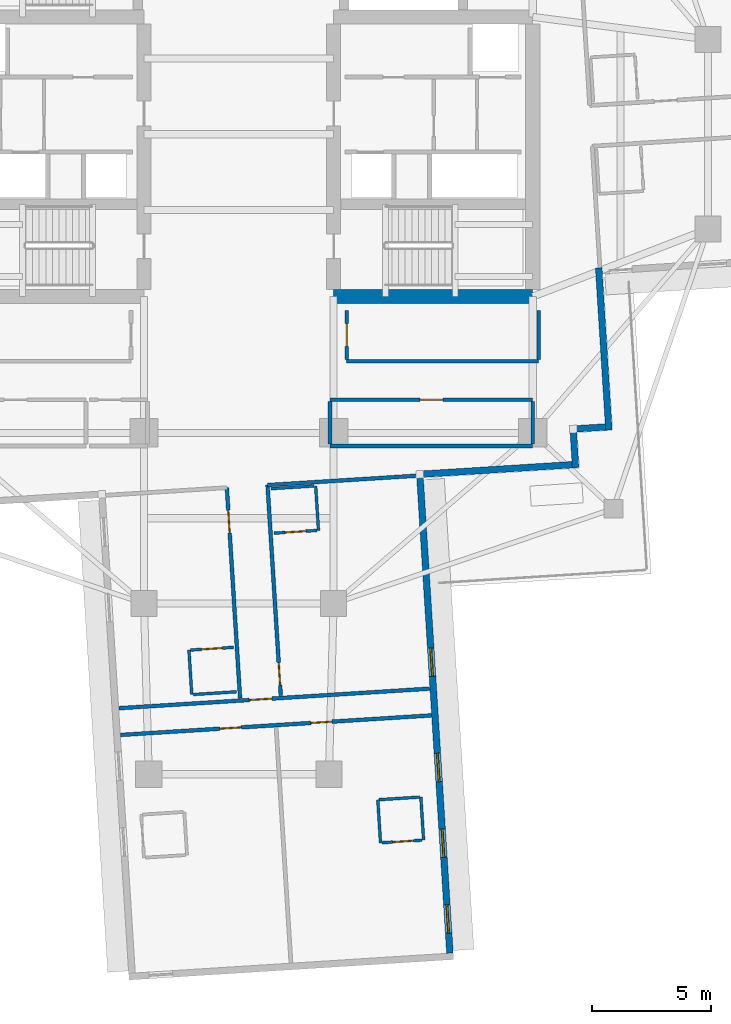
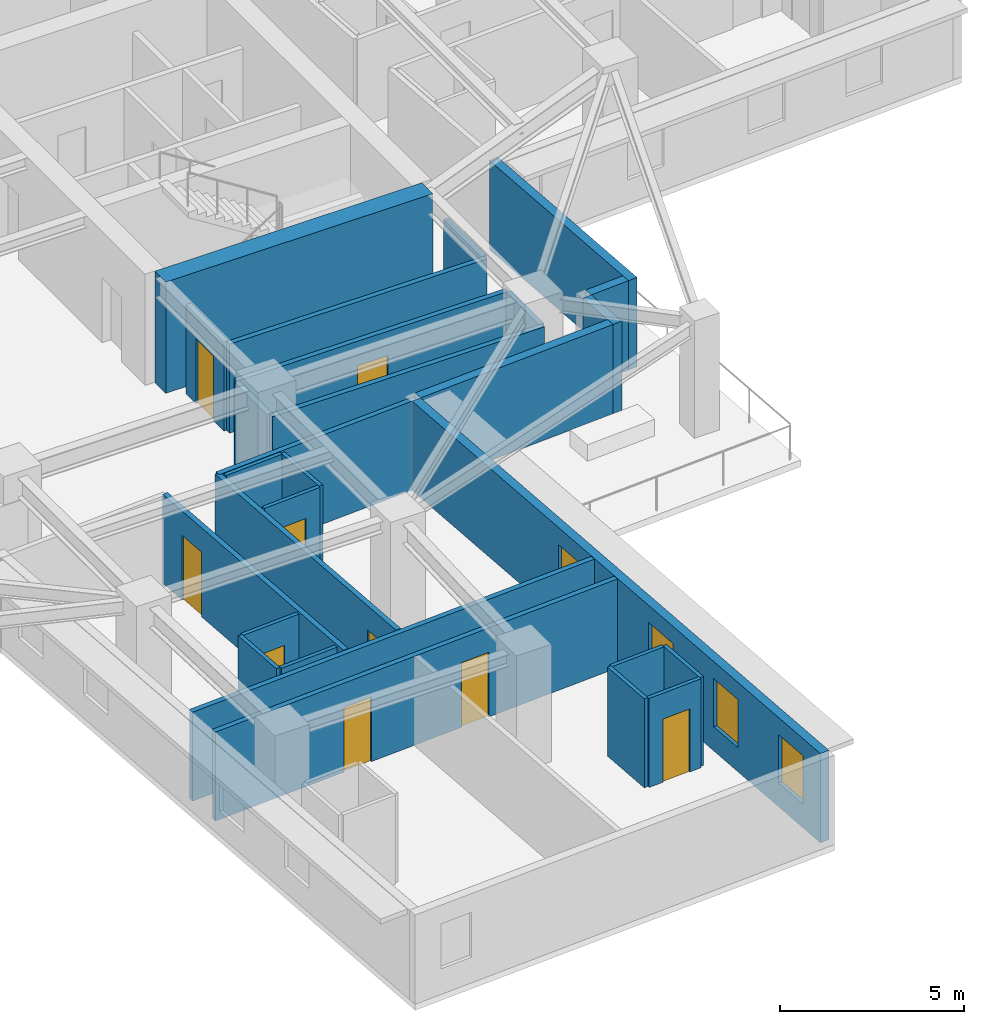
# One storey, part 4 of 14: 28 walls, 10 doors, 4 windows, 14 openings.
"""IFC4 building model written with IfcOpenShell, lengths in metres."""

from ifc_helpers import new_model, si_unit, direction, frame, frame_2d, origin, place, context, subcontext, project, spatial, rectangle, extrude, material, layer, layer_set, type_object, element, fill, save


model = new_model("IFC4")

# Units and contexts
model_context = context("Model", 3, precision=1e-05, world=origin(), true_north=direction((0.0, 1.0)))
body_context = subcontext(model_context, "Body", "Model", "MODEL_VIEW")
ifc_project = project(units=[si_unit("LENGTHUNIT", "METRE"), si_unit("AREAUNIT", "SQUARE_METRE"), si_unit("VOLUMEUNIT", "CUBIC_METRE"), si_unit("PLANEANGLEUNIT", "RADIAN"), si_unit("MASSUNIT", "GRAM", prefix="KILO")], contexts=[model_context])

# Site, building, storey
site_placement = place(None, origin())
site = spatial("IfcSite", under=ifc_project, at=site_placement, CompositionType="ELEMENT")
building_placement = place(site_placement, origin())
building = spatial("IfcBuilding", under=site, at=building_placement, Name="Qingluan Cross Belvedere", CompositionType="ELEMENT")
storey_placement = place(building_placement, frame((0.0, 0.0, 120.300048828125)))
storey = spatial("IfcBuildingStorey", under=building, at=storey_placement, Name="L30", CompositionType="ELEMENT", Elevation=120.300048828125)

# Walls
ifc_material_1 = material(Name="Concrete C60", Category="concrete")
ifc_layer_1 = layer(ifc_material_1, 0.60009765625, Name="CoreShearWall_600")
ifc_layer_set_1 = layer_set([ifc_layer_1], Name="Concrete C60")
wall_type_1 = type_object("IfcWallType", Name="CoreShearWall_600", PredefinedType="SHEAR", material=ifc_layer_set_1)
wall_1_placement = place(storey_placement, frame((4.0, -6.85009765625, 0.0), z_axis=(0.0, 0.0, 1.0), x_axis=(1.0, 0.0, 0.0)))
element("IfcWall", 1, at=wall_1_placement, inside=storey, type_object=wall_type_1, Name="Split core E shear wall L30-S", PredefinedType="SHEAR", context=body_context, shape_type="SweptSolid", body=[
    extrude(rectangle(XDim=8.39990234375, YDim=0.60009765625, at=frame_2d((4.199951171875, 0.0))), origin(), (0.0, 0.0, 1.0), 3.699951171875),
])
ifc_material_2 = material(Name="Gypsum plasterboard on steel stud acoustic partition", Category="steel")
ifc_layer_2 = layer(ifc_material_2, 0.159912109375, Name="CorridorPartition_160")
ifc_layer_set_2 = layer_set([ifc_layer_2], Name="Gypsum plasterboard on steel stud acoustic partition")
wall_type_2 = type_object("IfcWallType", Name="CorridorPartition_160", PredefinedType="PARTITIONING", material=ifc_layer_set_2)
wall_2_placement = place(storey_placement, frame((3.85009765625, -13.14990234375, 0.0), z_axis=(0.0, 0.0, 1.0), x_axis=(1.0, 0.0, 0.0)))
element("IfcWall", 2, at=wall_2_placement, inside=storey, type_object=wall_type_2, Name="Partition L30:q_se:S", PredefinedType="PARTITIONING", context=body_context, shape_type="SweptSolid", body=[
    extrude(rectangle(XDim=8.5498046875, YDim=0.159912109375, at=frame_2d((4.27490234375, 0.0))), origin(), (0.0, 0.0, 1.0), 2.9599609375),
])

# Wall, opening, door
wall_3_placement = place(storey_placement, frame((3.85009765625, -11.199951171875, 0.0), z_axis=(0.0, 0.0, 1.0), x_axis=(1.0, 0.0, 0.0)))
wall_3 = element("IfcWall", 3, at=wall_3_placement, inside=storey, type_object=wall_type_2, Name="Partition L30:q_se:N", PredefinedType="PARTITIONING", context=body_context, shape_type="SweptSolid", body=[
    extrude(rectangle(XDim=8.5498046875, YDim=0.159912109375, at=frame_2d((4.27490234375, 0.0))), origin(), (0.0, 0.0, 1.0), 2.9599609375),
])
opening_1_placement = place(wall_3_placement, frame((3.794921875, 0.0, 0.0)))
opening_1 = element("IfcOpeningElement", 4, at=opening_1_placement, cuts=wall_3, Name="Opening GD-10", PredefinedType="OPENING", context=body_context, shape_type="SweptSolid", body=[
    extrude(rectangle(XDim=0.9599609375, YDim=2.14990234375, at=frame_2d((0.47998046875, 1.074951171875))), frame((0.0, 0.08984375, 0.0), z_axis=(0.0, -1.0, 0.0), x_axis=(1.0, 0.0, 0.0)), (0.0, 0.0, 1.0), 0.179931640625),
])
ifc_material_3 = material(Name="Timber oak fire-rated acoustic guestroom door", Category="wood")
door_type_1 = type_object("IfcDoorType", Name="GuestEntryDoor_FD60", OperationType="NOTDEFINED", PredefinedType="DOOR", material=ifc_material_3)
door_1_placement = place(opening_1_placement, origin())
door_1 = element("IfcDoor", 5, at=door_1_placement, inside=storey, type_object=door_type_1, Name="Afternoon tea pantry L30 door", OperationType="SINGLE_SWING_LEFT", OverallHeight=2.14990234375, OverallWidth=0.9599609375, PredefinedType="DOOR", context=body_context, shape_type="SweptSolid", body=[
    extrude(rectangle(XDim=0.9599609375, YDim=2.14990234375, at=frame_2d((0.47998046875, 1.074951171875))), frame((0.0, 0.02490234375, 0.0), z_axis=(0.0, -1.0, 0.0), x_axis=(1.0, 0.0, 0.0)), (0.0, 0.0, 1.0), 0.050048828125),
])
fill(opening_1, door_1)

# Walls
for number, where, z_axis, x_axis, name in (
    (6, (3.85009765625, -13.06494140625, 0.0), (0.0, 0.0, 1.0), (0.0, 1.0, 0.0), "Partition L30:q_se:W"),
    (7, (12.39990234375, -13.06494140625, 0.0), (0.0, 0.0, 1.0), (0.0, 1.0, 0.0), "Partition L30:q_se:E"),
):
    element("IfcWall", number, at=place(storey_placement, frame(where, z_axis=z_axis, x_axis=x_axis)), inside=storey, type_object=wall_type_2, Name=name, PredefinedType="PARTITIONING", context=body_context, shape_type="SweptSolid", body=[
        extrude(rectangle(XDim=1.780029296875, YDim=0.159912109375, at=frame_2d((0.89013671875, 0.0))), origin(), (0.0, 0.0, 1.0), 2.9599609375),
    ])
wall_4_placement = place(storey_placement, frame((4.550048828125, -9.580078125, 0.0), z_axis=(0.0, 0.0, 1.0), x_axis=(1.0, 0.0, 0.0)))
element("IfcWall", 8, at=wall_4_placement, inside=storey, type_object=wall_type_2, Name="Partition L30:rec_st4:S", PredefinedType="PARTITIONING", context=body_context, shape_type="SweptSolid", body=[
    extrude(rectangle(XDim=8.099853515625, YDim=0.159912109375, at=frame_2d((4.0498046875, 0.0))), origin(), (0.0, 0.0, 1.0), 2.9599609375),
])

# Wall, opening, door
wall_5_placement = place(storey_placement, frame((4.550048828125, -9.4951171875, 0.0), z_axis=(0.0, 0.0, 1.0), x_axis=(0.0, 1.0, 0.0)))
wall_5 = element("IfcWall", 9, at=wall_5_placement, inside=storey, type_object=wall_type_2, Name="Partition L30:rec_st4:W", PredefinedType="PARTITIONING", context=body_context, shape_type="SweptSolid", body=[
    extrude(rectangle(XDim=2.06005859375, YDim=0.159912109375, at=frame_2d((1.030029296875, 0.0))), origin(), (0.0, 0.0, 1.0), 2.9599609375),
])
opening_2_placement = place(wall_5_placement, frame((0.550048828125, 0.0, 0.0)))
opening_2 = element("IfcOpeningElement", 10, at=opening_2_placement, cuts=wall_5, Name="Opening GD-10", PredefinedType="OPENING", context=body_context, shape_type="SweptSolid", body=[
    extrude(rectangle(XDim=0.9599609375, YDim=2.14990234375, at=frame_2d((0.47998046875, 1.074951171875))), frame((0.0, 0.08984375, 0.0), z_axis=(0.0, -1.0, 0.0), x_axis=(1.0, 0.0, 0.0)), (0.0, 0.0, 1.0), 0.179931640625),
])
door_2_placement = place(opening_2_placement, origin())
door_2 = element("IfcDoor", 11, at=door_2_placement, inside=storey, type_object=door_type_1, Name="Southeast club library room L30 door", OperationType="SINGLE_SWING_RIGHT", OverallHeight=2.14990234375, OverallWidth=0.9599609375, PredefinedType="DOOR", context=body_context, shape_type="SweptSolid", body=[
    extrude(rectangle(XDim=0.9599609375, YDim=2.14990234375, at=frame_2d((0.47998046875, 1.074951171875))), frame((0.0, 0.02490234375, 0.0), z_axis=(0.0, -1.0, 0.0), x_axis=(1.0, 0.0, 0.0)), (0.0, 0.0, 1.0), 0.050048828125),
])
fill(opening_2, door_2)

# Wall
wall_6_placement = place(storey_placement, frame((12.64990234375, -9.4951171875, 0.0), z_axis=(0.0, 0.0, 1.0), x_axis=(0.0, 1.0, 0.0)))
element("IfcWall", 12, at=wall_6_placement, inside=storey, type_object=wall_type_2, Name="Partition L30:rec_st4:E", PredefinedType="PARTITIONING", context=body_context, shape_type="SweptSolid", body=[
    extrude(rectangle(XDim=2.06005859375, YDim=0.159912109375, at=frame_2d((1.030029296875, 0.0))), origin(), (0.0, 0.0, 1.0), 2.9599609375),
])

# Wall, opening, door
wall_7_placement = place(storey_placement, frame((1.2119140625, -14.802978515625, 0.0), z_axis=(0.0, 0.0, 1.0), x_axis=(0.062789854524, -0.998026770267, 0.0)))
wall_7 = element("IfcWall", 13, at=wall_7_placement, inside=storey, type_object=wall_type_2, Name="Partition L30:S:c0", PredefinedType="PARTITIONING", context=body_context, shape_type="SweptSolid", body=[
    extrude(rectangle(XDim=8.900146484375, YDim=0.159912109375, at=frame_2d((4.4501953125, 0.0))), origin(), (0.0, 0.0, 1.0), 2.9599609375),
])
opening_3_placement = place(wall_7_placement, frame((7.5, 0.0, 0.0)))
opening_3 = element("IfcOpeningElement", 14, at=opening_3_placement, cuts=wall_7, Name="Opening GD-10", PredefinedType="OPENING", context=body_context, shape_type="SweptSolid", body=[
    extrude(rectangle(XDim=0.9599609375, YDim=2.14990234375, at=frame_2d((0.47998046875, 1.074951171875))), frame((0.0, 0.08984375, 0.0), z_axis=(0.0, -1.0, 0.0), x_axis=(1.0, 0.0, 0.0)), (0.0, 0.0, 1.0), 0.179931640625),
])
door_3_placement = place(opening_3_placement, origin())
door_3 = element("IfcDoor", 15, at=door_3_placement, inside=storey, type_object=door_type_1, Name="Guest entry fire door 3009", OperationType="SINGLE_SWING_RIGHT", OverallHeight=2.14990234375, OverallWidth=0.9599609375, PredefinedType="DOOR", context=body_context, shape_type="SweptSolid", body=[
    extrude(rectangle(XDim=0.9599609375, YDim=2.14990234375, at=frame_2d((0.47998046875, 1.074951171875))), frame((0.0, 0.02490234375, 0.0), z_axis=(0.0, -1.0, 0.0), x_axis=(1.0, 0.0, 0.0)), (0.0, 0.0, 1.0), 0.050048828125),
])
fill(opening_3, door_3)

# Wall
wall_8_placement = place(storey_placement, frame((1.2119140625, -14.802978515625, 0.0), z_axis=(0.0, 0.0, 1.0), x_axis=(0.998027420959, 0.062779511096, 0.0)))
element("IfcWall", 16, at=wall_8_placement, inside=storey, type_object=wall_type_2, Name="Partition L30:S:s0", PredefinedType="PARTITIONING", context=body_context, shape_type="SweptSolid", body=[
    extrude(rectangle(XDim=6.43994140625, YDim=0.159912109375, at=frame_2d((3.219970703125, 0.0))), origin(), (0.0, 0.0, 1.0), 2.9599609375),
])

# Wall, opening, door
wall_9_placement = place(storey_placement, frame((-0.504638671875, -14.9111328125, 0.0), z_axis=(0.0, 0.0, 1.0), x_axis=(0.062789854524, -0.998026770267, 0.0)))
wall_9 = element("IfcWall", 17, at=wall_9_placement, inside=storey, type_object=wall_type_2, Name="Partition L30:S:c1", PredefinedType="PARTITIONING", context=body_context, shape_type="SweptSolid", body=[
    extrude(rectangle(XDim=8.900146484375, YDim=0.159912109375, at=frame_2d((4.4501953125, 0.0))), origin(), (0.0, 0.0, 1.0), 2.9599609375),
])
opening_4_placement = place(wall_9_placement, frame((0.952880859375, 0.0, 0.0)))
opening_4 = element("IfcOpeningElement", 18, at=opening_4_placement, cuts=wall_9, Name="Opening GD-10", PredefinedType="OPENING", context=body_context, shape_type="SweptSolid", body=[
    extrude(rectangle(XDim=0.9599609375, YDim=2.14990234375, at=frame_2d((0.47998046875, 1.074951171875))), frame((0.0, 0.08984375, 0.0), z_axis=(0.0, -1.0, 0.0), x_axis=(1.0, 0.0, 0.0)), (0.0, 0.0, 1.0), 0.179931640625),
])
door_4_placement = place(opening_4_placement, origin())
door_4 = element("IfcDoor", 19, at=door_4_placement, inside=storey, type_object=door_type_1, Name="Guest entry fire door 3010", OperationType="SINGLE_SWING_RIGHT", OverallHeight=2.14990234375, OverallWidth=0.9599609375, PredefinedType="DOOR", context=body_context, shape_type="SweptSolid", body=[
    extrude(rectangle(XDim=0.9599609375, YDim=2.14990234375, at=frame_2d((0.47998046875, 1.074951171875))), frame((0.0, 0.02490234375, 0.0), z_axis=(0.0, -1.0, 0.0), x_axis=(1.0, 0.0, 0.0)), (0.0, 0.0, 1.0), 0.050048828125),
])
fill(opening_4, door_4)

wall_10_placement = place(storey_placement, frame((-5.0615234375, -24.215576171875, 0.0), z_axis=(0.0, 0.0, 1.0), x_axis=(0.998027273128, 0.062781861182, 0.0)))
wall_10 = element("IfcWall", 20, at=wall_10_placement, inside=storey, type_object=wall_type_2, Name="Partition L30:Scap:in", PredefinedType="PARTITIONING", context=body_context, shape_type="SweptSolid", body=[
    extrude(rectangle(XDim=13.143798828125, YDim=0.159912109375, at=frame_2d((6.57177734375, 0.0))), origin(), (0.0, 0.0, 1.0), 2.9599609375),
])
opening_5_placement = place(wall_10_placement, frame((5.511962890625, 0.0, 0.0)))
opening_5 = element("IfcOpeningElement", 21, at=opening_5_placement, cuts=wall_10, Name="Opening GD-10", PredefinedType="OPENING", context=body_context, shape_type="SweptSolid", body=[
    extrude(rectangle(XDim=0.9599609375, YDim=2.14990234375, at=frame_2d((0.47998046875, 1.074951171875))), frame((0.0, 0.08984375, 0.0), z_axis=(0.0, -1.0, 0.0), x_axis=(1.0, 0.0, 0.0)), (0.0, 0.0, 1.0), 0.179931640625),
])
door_5_placement = place(opening_5_placement, origin())
door_5 = element("IfcDoor", 22, at=door_5_placement, inside=storey, type_object=door_type_1, Name="Corner gallery fire door L30S", OperationType="SINGLE_SWING_LEFT", OverallHeight=2.14990234375, OverallWidth=0.9599609375, PredefinedType="DOOR", context=body_context, shape_type="SweptSolid", body=[
    extrude(rectangle(XDim=0.9599609375, YDim=2.14990234375, at=frame_2d((0.47998046875, 1.074951171875))), frame((0.0, 0.02490234375, 0.0), z_axis=(0.0, -1.0, 0.0), x_axis=(1.0, 0.0, 0.0)), (0.0, 0.0, 1.0), 0.050048828125),
])
fill(opening_5, door_5)

# Wall, openings, doors
wall_11_placement = place(storey_placement, frame((-4.990478515625, -25.343505859375, 0.0), z_axis=(0.0, 0.0, 1.0), x_axis=(0.998026109115, 0.062800362452, 0.0)))
wall_11 = element("IfcWall", 23, at=wall_11_placement, inside=storey, type_object=wall_type_2, Name="Partition L30:Scap:vw", PredefinedType="PARTITIONING", context=body_context, shape_type="SweptSolid", body=[
    extrude(rectangle(XDim=13.143798828125, YDim=0.159912109375, at=frame_2d((6.57177734375, 0.0))), origin(), (0.0, 0.0, 1.0), 2.9599609375),
])
opening_6_placement = place(wall_11_placement, frame((4.201904296875, 0.0, 0.0)))
opening_6 = element("IfcOpeningElement", 24, at=opening_6_placement, cuts=wall_11, Name="Opening GD-09", PredefinedType="OPENING", context=body_context, shape_type="SweptSolid", body=[
    extrude(rectangle(XDim=0.89990234375, YDim=2.14990234375, at=frame_2d((0.449951171875, 1.074951171875))), frame((0.0, 0.08984375, 0.0), z_axis=(0.0, -1.0, 0.0), x_axis=(1.0, 0.0, 0.0)), (0.0, 0.0, 1.0), 0.179931640625),
])
opening_7_placement = place(wall_11_placement, frame((8.0419921875, 0.0, 0.0)))
opening_7 = element("IfcOpeningElement", 25, at=opening_7_placement, cuts=wall_11, Name="Opening GD-09", PredefinedType="OPENING", context=body_context, shape_type="SweptSolid", body=[
    extrude(rectangle(XDim=0.89990234375, YDim=2.14990234375, at=frame_2d((0.449951171875, 1.074951171875))), frame((0.0, 0.08984375, 0.0), z_axis=(0.0, -1.0, 0.0), x_axis=(1.0, 0.0, 0.0)), (0.0, 0.0, 1.0), 0.179931640625),
])
ifc_material_4 = material(Name="Timber oak fire-rated corner room door", Category="wood")
door_type_2 = type_object("IfcDoorType", Name="CornerRoomDoor_FD60", OperationType="NOTDEFINED", PredefinedType="DOOR", material=ifc_material_4)
door_6_placement = place(opening_6_placement, origin())
door_6 = element("IfcDoor", 26, at=door_6_placement, inside=storey, type_object=door_type_2, Name="Deluxe corner room door L30S1", OperationType="SINGLE_SWING_RIGHT", OverallHeight=2.14990234375, OverallWidth=0.89990234375, PredefinedType="DOOR", context=body_context, shape_type="SweptSolid", body=[
    extrude(rectangle(XDim=0.89990234375, YDim=2.14990234375, at=frame_2d((0.449951171875, 1.074951171875))), frame((0.0, 0.02490234375, 0.0), z_axis=(0.0, -1.0, 0.0), x_axis=(1.0, 0.0, 0.0)), (0.0, 0.0, 1.0), 0.050048828125),
])
fill(opening_6, door_6)
door_7_placement = place(opening_7_placement, origin())
door_7 = element("IfcDoor", 27, at=door_7_placement, inside=storey, type_object=door_type_2, Name="Deluxe corner room door L30S2", OperationType="SINGLE_SWING_LEFT", OverallHeight=2.14990234375, OverallWidth=0.89990234375, PredefinedType="DOOR", context=body_context, shape_type="SweptSolid", body=[
    extrude(rectangle(XDim=0.89990234375, YDim=2.14990234375, at=frame_2d((0.449951171875, 1.074951171875))), frame((0.0, 0.02490234375, 0.0), z_axis=(0.0, -1.0, 0.0), x_axis=(1.0, 0.0, 0.0)), (0.0, 0.0, 1.0), 0.050048828125),
])
fill(opening_7, door_7)

# Wall, opening, door
ifc_material_5 = material(Name="Moisture-resistant gypsum board lining")
ifc_layer_3 = layer(ifc_material_5, 0.1201171875, Name="EnsuiteWetPartition_120")
ifc_layer_set_3 = layer_set([ifc_layer_3], Name="Moisture-resistant gypsum board lining")
wall_type_3 = type_object("IfcWallType", Name="EnsuiteWetPartition_120", PredefinedType="PARTITIONING", material=ifc_layer_set_3)
wall_12_placement = place(storey_placement, frame((1.479736328125, -16.830322265625, 0.0), z_axis=(0.0, 0.0, 1.0), x_axis=(0.998027443946, 0.062779145668, 0.0)))
wall_12 = element("IfcWall", 28, at=wall_12_placement, inside=storey, type_object=wall_type_3, Name="Partition L30:S:bs0_0", PredefinedType="PARTITIONING", context=body_context, shape_type="SweptSolid", body=[
    extrude(rectangle(XDim=1.820068359375, YDim=0.1201171875, at=frame_2d((0.91015625, 0.0))), origin(), (0.0, 0.0, 1.0), 2.9599609375),
])
opening_8_placement = place(wall_12_placement, frame((0.469970703125, 0.0, 0.0)))
opening_8 = element("IfcOpeningElement", 29, at=opening_8_placement, cuts=wall_12, Name="Opening BD-09", PredefinedType="OPENING", context=body_context, shape_type="SweptSolid", body=[
    extrude(rectangle(XDim=0.8798828125, YDim=2.10009765625, at=frame_2d((0.43994140625, 1.050048828125))), frame((0.0, 0.070068359375, 0.0), z_axis=(0.0, -1.0, 0.0), x_axis=(1.0, 0.0, 0.0)), (0.0, 0.0, 1.0), 0.14013671875),
])
ifc_material_6 = material(Name="Moisture-sealed timber en-suite door", Category="wood")
door_type_3 = type_object("IfcDoorType", Name="BathroomDoor_880", OperationType="NOTDEFINED", PredefinedType="DOOR", material=ifc_material_6)
door_8_placement = place(opening_8_placement, origin())
door_8 = element("IfcDoor", 30, at=door_8_placement, inside=storey, type_object=door_type_3, Name="Bathroom door 3009", OperationType="SINGLE_SWING_LEFT", OverallHeight=2.10009765625, OverallWidth=0.8798828125, PredefinedType="DOOR", context=body_context, shape_type="SweptSolid", body=[
    extrude(rectangle(XDim=0.8798828125, YDim=2.10009765625, at=frame_2d((0.43994140625, 1.050048828125))), frame((0.0, 0.02490234375, 0.0), z_axis=(0.0, -1.0, 0.0), x_axis=(1.0, 0.0, 0.0)), (0.0, 0.0, 1.0), 0.050048828125),
])
fill(opening_8, door_8)

# Walls
wall_13_placement = place(storey_placement, frame((1.36181640625, -14.9541015625, 0.0), z_axis=(0.0, 0.0, 1.0), x_axis=(0.998018499228, 0.062921182436, 0.0)))
element("IfcWall", 31, at=wall_13_placement, inside=storey, type_object=wall_type_3, Name="Partition L30:S:bw0_0", PredefinedType="PARTITIONING", context=body_context, shape_type="SweptSolid", body=[
    extrude(rectangle(XDim=1.81982421875, YDim=0.1201171875, at=frame_2d((0.909912109375, 0.0))), origin(), (0.0, 0.0, 1.0), 2.9599609375),
])
wall_14_placement = place(storey_placement, frame((3.242919921875, -14.835693359375, 0.0), z_axis=(0.0, 0.0, 1.0), x_axis=(0.062855297722, -0.998022650819, 0.0)))
element("IfcWall", 32, at=wall_14_placement, inside=storey, type_object=wall_type_3, Name="Partition L30:S:bn0_0", PredefinedType="PARTITIONING", context=body_context, shape_type="SweptSolid", body=[
    extrude(rectangle(XDim=1.8798828125, YDim=0.1201171875, at=frame_2d((0.93994140625, 0.0))), origin(), (0.0, 0.0, 1.0), 2.9599609375),
])

# Wall, opening, door
wall_15_placement = place(storey_placement, frame((-2.03759765625, -21.760986328125, 0.0), z_axis=(0.0, 0.0, 1.0), x_axis=(0.998019030272, 0.062912758763, 0.0)))
wall_15 = element("IfcWall", 33, at=wall_15_placement, inside=storey, type_object=wall_type_3, Name="Partition L30:S:bs1_0", PredefinedType="PARTITIONING", context=body_context, shape_type="SweptSolid", body=[
    extrude(rectangle(XDim=1.820068359375, YDim=0.1201171875, at=frame_2d((0.91015625, 0.0))), origin(), (0.0, 0.0, 1.0), 2.9599609375),
])
opening_9_placement = place(wall_15_placement, frame((0.469970703125, 0.0, 0.0)))
opening_9 = element("IfcOpeningElement", 34, at=opening_9_placement, cuts=wall_15, Name="Opening BD-09", PredefinedType="OPENING", context=body_context, shape_type="SweptSolid", body=[
    extrude(rectangle(XDim=0.8798828125, YDim=2.10009765625, at=frame_2d((0.43994140625, 1.050048828125))), frame((0.0, 0.070068359375, 0.0), z_axis=(0.0, -1.0, 0.0), x_axis=(1.0, 0.0, 0.0)), (0.0, 0.0, 1.0), 0.14013671875),
])
door_9_placement = place(opening_9_placement, origin())
door_9 = element("IfcDoor", 35, at=door_9_placement, inside=storey, type_object=door_type_3, Name="Bathroom door 3010", OperationType="SINGLE_SWING_LEFT", OverallHeight=2.10009765625, OverallWidth=0.8798828125, PredefinedType="DOOR", context=body_context, shape_type="SweptSolid", body=[
    extrude(rectangle(XDim=0.8798828125, YDim=2.10009765625, at=frame_2d((0.43994140625, 1.050048828125))), frame((0.0, 0.02490234375, 0.0), z_axis=(0.0, -1.0, 0.0), x_axis=(1.0, 0.0, 0.0)), (0.0, 0.0, 1.0), 0.050048828125),
])
fill(opening_9, door_9)

# Walls
wall_16_placement = place(storey_placement, frame((-1.919677734375, -23.63720703125, 0.0), z_axis=(0.0, 0.0, 1.0), x_axis=(0.998027443946, 0.062779145668, 0.0)))
element("IfcWall", 36, at=wall_16_placement, inside=storey, type_object=wall_type_3, Name="Partition L30:S:bw1_0", PredefinedType="PARTITIONING", context=body_context, shape_type="SweptSolid", body=[
    extrude(rectangle(XDim=1.820068359375, YDim=0.1201171875, at=frame_2d((0.91015625, 0.0))), origin(), (0.0, 0.0, 1.0), 2.9599609375),
])
wall_17_placement = place(storey_placement, frame((-2.1025390625, -21.764892578125, 0.0), z_axis=(0.0, 0.0, 1.0), x_axis=(0.062717813936, -0.998031300018, 0.0)))
element("IfcWall", 37, at=wall_17_placement, inside=storey, type_object=wall_type_3, Name="Partition L30:S:bc1_0", PredefinedType="PARTITIONING", context=body_context, shape_type="SweptSolid", body=[
    extrude(rectangle(XDim=1.880126953125, YDim=0.1201171875, at=frame_2d((0.93994140625, 0.0))), origin(), (0.0, 0.0, 1.0), 2.9599609375),
])
for number, where, z_axis, x_axis, name in (
    (38, (5.864501953125, -28.0771484375, 0.0), (0.0, 0.0, 1.0), (0.062779145668, -0.998027443946, 0.0), "Partition L30:Scap:b2s"),
    (39, (7.680908203125, -27.962890625, 0.0), (0.0, 0.0, 1.0), (0.062779145668, -0.998027443946, 0.0), "Partition L30:Scap:b2b"),
):
    element("IfcWall", number, at=place(storey_placement, frame(where, z_axis=z_axis, x_axis=x_axis)), inside=storey, type_object=wall_type_3, Name=name, PredefinedType="PARTITIONING", context=body_context, shape_type="SweptSolid", body=[
        extrude(rectangle(XDim=1.820068359375, YDim=0.1201171875, at=frame_2d((0.91015625, 0.0))), origin(), (0.0, 0.0, 1.0), 2.9599609375),
    ])
wall_18_placement = place(storey_placement, frame((5.92431640625, -28.073486328125, 0.0), z_axis=(0.0, 0.0, 1.0), x_axis=(0.998029039933, 0.06275376841, 0.0)))
element("IfcWall", 40, at=wall_18_placement, inside=storey, type_object=wall_type_3, Name="Partition L30:Scap:b2a", PredefinedType="PARTITIONING", context=body_context, shape_type="SweptSolid", body=[
    extrude(rectangle(XDim=1.7001953125, YDim=0.1201171875, at=frame_2d((0.85009765625, 0.0))), origin(), (0.0, 0.0, 1.0), 2.9599609375),
])

# Wall, opening, door
wall_19_placement = place(storey_placement, frame((6.038818359375, -29.889892578125, 0.0), z_axis=(0.0, 0.0, 1.0), x_axis=(0.998028474305, 0.062762763458, 0.0)))
wall_19 = element("IfcWall", 41, at=wall_19_placement, inside=storey, type_object=wall_type_3, Name="Partition L30:Scap:b2n", PredefinedType="PARTITIONING", context=body_context, shape_type="SweptSolid", body=[
    extrude(rectangle(XDim=1.699951171875, YDim=0.1201171875, at=frame_2d((0.85009765625, 0.0))), origin(), (0.0, 0.0, 1.0), 2.9599609375),
])
opening_10_placement = place(wall_19_placement, frame((0.449951171875, 0.0, 0.0)))
opening_10 = element("IfcOpeningElement", 42, at=opening_10_placement, cuts=wall_19, Name="Opening BD-09", PredefinedType="OPENING", context=body_context, shape_type="SweptSolid", body=[
    extrude(rectangle(XDim=0.8798828125, YDim=2.10009765625, at=frame_2d((0.43994140625, 1.050048828125))), frame((0.0, 0.070068359375, 0.0), z_axis=(0.0, -1.0, 0.0), x_axis=(1.0, 0.0, 0.0)), (0.0, 0.0, 1.0), 0.14013671875),
])
door_10_placement = place(opening_10_placement, origin())
door_10 = element("IfcDoor", 43, at=door_10_placement, inside=storey, type_object=door_type_3, Name="En-suite bathroom door L30S2", OperationType="SINGLE_SWING_RIGHT", OverallHeight=2.10009765625, OverallWidth=0.8798828125, PredefinedType="DOOR", context=body_context, shape_type="SweptSolid", body=[
    extrude(rectangle(XDim=0.8798828125, YDim=2.10009765625, at=frame_2d((0.43994140625, 1.050048828125))), frame((0.0, 0.02490234375, 0.0), z_axis=(0.0, -1.0, 0.0), x_axis=(1.0, 0.0, 0.0)), (0.0, 0.0, 1.0), 0.050048828125),
])
fill(opening_10, door_10)

# Wall, openings, windows
ifc_material_7 = material(Name="Precast concrete C45", Category="concrete")
ifc_layer_4 = layer(ifc_material_7, 0.280029296875, Name="PrecastFacadeWall_280")
ifc_layer_set_4 = layer_set([ifc_layer_4], Name="Precast concrete C45")
wall_type_4 = type_object("IfcWallType", Name="PrecastFacadeWall_280", PredefinedType="STANDARD", material=ifc_layer_set_4)
wall_20_placement = place(storey_placement, frame((8.906982421875, -34.548828125, 0.0), z_axis=(0.0, 0.0, 1.0), x_axis=(-0.06279645424, 0.99802635503, 0.0)))
wall_20 = element("IfcWall", 44, at=wall_20_placement, inside=storey, type_object=wall_type_4, Name="Facade wall L30-SB", PredefinedType="STANDARD", context=body_context, shape_type="SweptSolid", body=[
    extrude(rectangle(XDim=20.099853515625, YDim=0.280029296875, at=frame_2d((10.0498046875, 0.0))), origin(), (0.0, 0.0, 1.0), 2.969970703125),
])
opening_11_placement = place(wall_20_placement, frame((0.85009765625, 0.0, 0.800048828125)))
opening_11 = element("IfcOpeningElement", 45, at=opening_11_placement, cuts=wall_20, Name="Opening W-02", PredefinedType="OPENING", context=body_context, shape_type="SweptSolid", body=[
    extrude(rectangle(XDim=1.199951171875, YDim=1.60009765625, at=frame_2d((0.60009765625, 0.800048828125))), frame((0.0, 0.14990234375, 0.0), z_axis=(0.0, -1.0, 0.0), x_axis=(1.0, 0.0, 0.0)), (0.0, 0.0, 1.0), 0.300048828125),
])
opening_12_placement = place(wall_20_placement, frame((4.050048828125, 0.0, 0.800048828125)))
opening_12 = element("IfcOpeningElement", 46, at=opening_12_placement, cuts=wall_20, Name="Opening W-02", PredefinedType="OPENING", context=body_context, shape_type="SweptSolid", body=[
    extrude(rectangle(XDim=1.199951171875, YDim=1.60009765625, at=frame_2d((0.60009765625, 0.800048828125))), frame((0.0, 0.14990234375, 0.0), z_axis=(0.0, -1.0, 0.0), x_axis=(1.0, 0.0, 0.0)), (0.0, 0.0, 1.0), 0.300048828125),
])
opening_13_placement = place(wall_20_placement, frame((7.25, 0.0, 0.800048828125)))
opening_13 = element("IfcOpeningElement", 47, at=opening_13_placement, cuts=wall_20, Name="Opening W-02", PredefinedType="OPENING", context=body_context, shape_type="SweptSolid", body=[
    extrude(rectangle(XDim=1.199951171875, YDim=1.60009765625, at=frame_2d((0.60009765625, 0.800048828125))), frame((0.0, 0.14990234375, 0.0), z_axis=(0.0, -1.0, 0.0), x_axis=(1.0, 0.0, 0.0)), (0.0, 0.0, 1.0), 0.300048828125),
])
opening_14_placement = place(wall_20_placement, frame((11.699951171875, 0.0, 0.800048828125)))
opening_14 = element("IfcOpeningElement", 48, at=opening_14_placement, cuts=wall_20, Name="Opening W-02", PredefinedType="OPENING", context=body_context, shape_type="SweptSolid", body=[
    extrude(rectangle(XDim=1.199951171875, YDim=1.60009765625, at=frame_2d((0.60009765625, 0.800048828125))), frame((0.0, 0.14990234375, 0.0), z_axis=(0.0, -1.0, 0.0), x_axis=(1.0, 0.0, 0.0)), (0.0, 0.0, 1.0), 0.300048828125),
])
ifc_material_8 = material(Name="Thermally broken triple Low-E glass in aluminium frame", Category="aluminium")
window_type = type_object("IfcWindowType", Name="TriRibbonWin_1200x1600", PartitioningType="SINGLE_PANEL", PredefinedType="WINDOW", material=ifc_material_8)
window_1_placement = place(opening_11_placement, origin())
window_1 = element("IfcWindow", 49, at=window_1_placement, inside=storey, type_object=window_type, Name="Ribbon window L30-SB-1", OverallHeight=1.60009765625, OverallWidth=1.199951171875, PartitioningType="SINGLE_PANEL", PredefinedType="WINDOW", context=body_context, shape_type="SweptSolid", body=[
    extrude(rectangle(XDim=1.199951171875, YDim=1.60009765625, at=frame_2d((0.60009765625, 0.800048828125))), frame((0.0, 0.030029296875, 0.0), z_axis=(0.0, -1.0, 0.0), x_axis=(1.0, 0.0, 0.0)), (0.0, 0.0, 1.0), 0.06005859375),
])
fill(opening_11, window_1)
window_2_placement = place(opening_12_placement, origin())
window_2 = element("IfcWindow", 50, at=window_2_placement, inside=storey, type_object=window_type, Name="Ribbon window L30-SB-2", OverallHeight=1.60009765625, OverallWidth=1.199951171875, PartitioningType="SINGLE_PANEL", PredefinedType="WINDOW", context=body_context, shape_type="SweptSolid", body=[
    extrude(rectangle(XDim=1.199951171875, YDim=1.60009765625, at=frame_2d((0.60009765625, 0.800048828125))), frame((0.0, 0.030029296875, 0.0), z_axis=(0.0, -1.0, 0.0), x_axis=(1.0, 0.0, 0.0)), (0.0, 0.0, 1.0), 0.06005859375),
])
fill(opening_12, window_2)
window_3_placement = place(opening_13_placement, origin())
window_3 = element("IfcWindow", 51, at=window_3_placement, inside=storey, type_object=window_type, Name="Ribbon window L30-SB-3", OverallHeight=1.60009765625, OverallWidth=1.199951171875, PartitioningType="SINGLE_PANEL", PredefinedType="WINDOW", context=body_context, shape_type="SweptSolid", body=[
    extrude(rectangle(XDim=1.199951171875, YDim=1.60009765625, at=frame_2d((0.60009765625, 0.800048828125))), frame((0.0, 0.030029296875, 0.0), z_axis=(0.0, -1.0, 0.0), x_axis=(1.0, 0.0, 0.0)), (0.0, 0.0, 1.0), 0.06005859375),
])
fill(opening_13, window_3)
window_4_placement = place(opening_14_placement, origin())
window_4 = element("IfcWindow", 52, at=window_4_placement, inside=storey, type_object=window_type, Name="Ribbon window L30-SB-4", OverallHeight=1.60009765625, OverallWidth=1.199951171875, PartitioningType="SINGLE_PANEL", PredefinedType="WINDOW", context=body_context, shape_type="SweptSolid", body=[
    extrude(rectangle(XDim=1.199951171875, YDim=1.60009765625, at=frame_2d((0.60009765625, 0.800048828125))), frame((0.0, 0.030029296875, 0.0), z_axis=(0.0, -1.0, 0.0), x_axis=(1.0, 0.0, 0.0)), (0.0, 0.0, 1.0), 0.06005859375),
])
fill(opening_14, window_4)

# Walls
wall_21_placement = place(storey_placement, frame((15.18408203125, -5.6376953125, 0.0), z_axis=(0.0, 0.0, 1.0), x_axis=(0.062779317195, -0.998027433156, 0.0)))
element("IfcWall", 53, at=wall_21_placement, inside=storey, type_object=wall_type_4, Name="Corner wall L30-SE1", PredefinedType="STANDARD", context=body_context, shape_type="SweptSolid", body=[
    extrude(rectangle(XDim=6.85986328125, YDim=0.280029296875, at=frame_2d((3.429931640625, 0.0))), origin(), (0.0, 0.0, 1.0), 2.969970703125),
])
wall_22_placement = place(storey_placement, frame((15.46630859375, -12.353271484375, 0.0), z_axis=(0.0, 0.0, 1.0), x_axis=(-0.998024450254, -0.062826719603, 0.0)))
element("IfcWall", 54, at=wall_22_placement, inside=storey, type_object=wall_type_4, Name="Corner wall L30-SE2", PredefinedType="STANDARD", context=body_context, shape_type="SweptSolid", body=[
    extrude(rectangle(XDim=1.22021484375, YDim=0.280029296875, at=frame_2d((0.610107421875, 0.0))), origin(), (0.0, 0.0, 1.0), 2.969970703125),
])
wall_23_placement = place(storey_placement, frame((14.11767578125, -12.578369140625, 0.0), z_axis=(0.0, 0.0, 1.0), x_axis=(0.062824119533, -0.998024613927, 0.0)))
element("IfcWall", 55, at=wall_23_placement, inside=storey, type_object=wall_type_4, Name="Corner wall L30-SE3", PredefinedType="STANDARD", context=body_context, shape_type="SweptSolid", body=[
    extrude(rectangle(XDim=1.5, YDim=0.280029296875, at=frame_2d((0.75, 0.0))), origin(), (0.0, 0.0, 1.0), 2.969970703125),
])
wall_24_placement = place(storey_placement, frame((14.063232421875, -13.944580078125, 0.0), z_axis=(0.0, 0.0, 1.0), x_axis=(-0.998027314704, -0.062781200242, 0.0)))
element("IfcWall", 56, at=wall_24_placement, inside=storey, type_object=wall_type_4, Name="Corner wall L30-SE4", PredefinedType="STANDARD", context=body_context, shape_type="SweptSolid", body=[
    extrude(rectangle(XDim=6.2998046875, YDim=0.280029296875, at=frame_2d((3.14990234375, 0.0))), origin(), (0.0, 0.0, 1.0), 2.969970703125),
])

save(model, "model.ifc")
